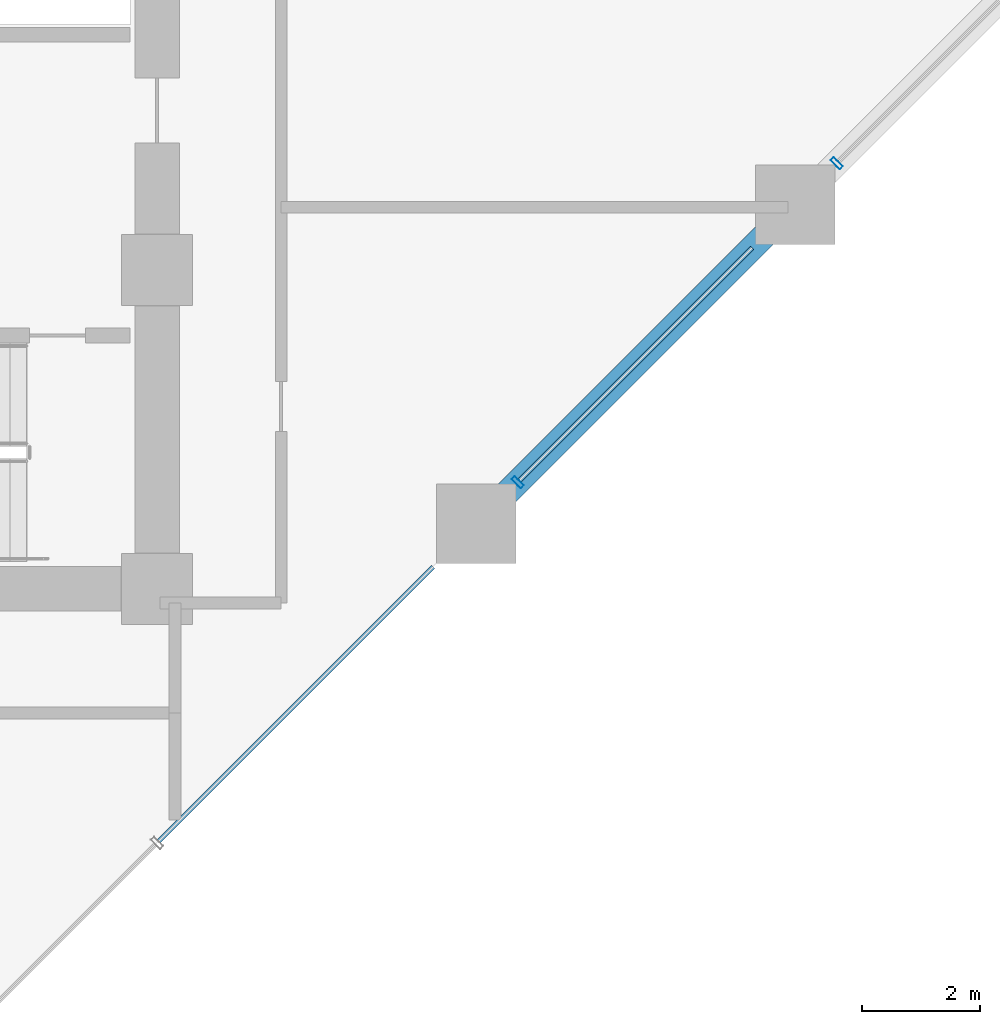
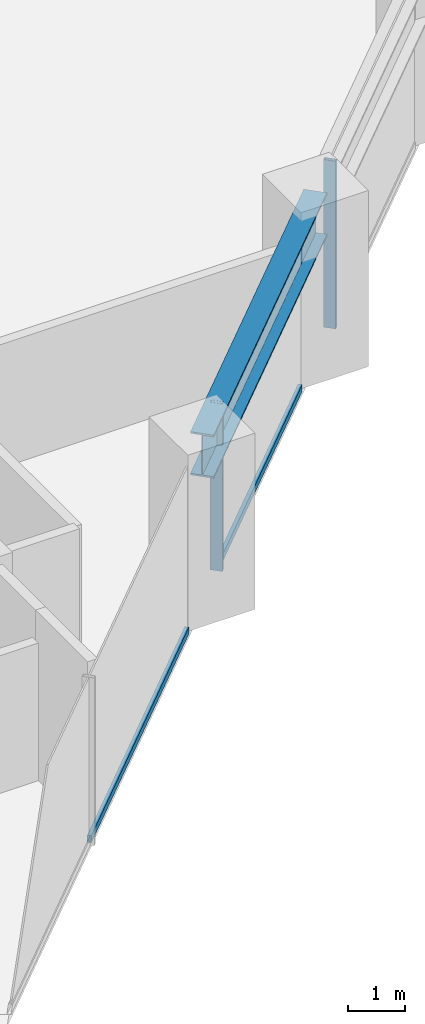
# One storey, part 8 of 24: 4 members, 1 beam, 1 element without a shape of its own.
"""IFC4 building model written with IfcOpenShell, lengths in metres."""

from ifc_helpers import new_model, si_unit, direction, frame, origin, origin_2d, place, context, subcontext, project, spatial, hollow_rectangle, i_section, extrude, material, layer, layer_set, material_profile, profile_set, type_object, element, aggregate, save


model = new_model("IFC4")

# Units and contexts
model_context = context("Model", 3, precision=1e-05, world=origin(), true_north=direction((0.0, 1.0)))
body_context = subcontext(model_context, "Body", "Model", "MODEL_VIEW")
ifc_project = project(units=[si_unit("LENGTHUNIT", "METRE"), si_unit("AREAUNIT", "SQUARE_METRE"), si_unit("VOLUMEUNIT", "CUBIC_METRE"), si_unit("PLANEANGLEUNIT", "RADIAN"), si_unit("MASSUNIT", "GRAM", prefix="KILO")], contexts=[model_context])

# Site, building, storey
site_placement = place(None, origin())
site = spatial("IfcSite", under=ifc_project, at=site_placement, CompositionType="ELEMENT")
building_placement = place(site_placement, origin())
building = spatial("IfcBuilding", under=site, at=building_placement, Name="Surkhivell Harbour Commons", CompositionType="ELEMENT")
storey_placement = place(building_placement, frame((0.0, 0.0, 30.0)))
storey = spatial("IfcBuildingStorey", under=building, at=storey_placement, Name="L07", CompositionType="ELEMENT", Elevation=30.0)

# Beam
ifc_material_1 = material(Name="Steel S460", Category="steel")
ifc_material_profile_1 = material_profile(ifc_material_1, i_section(OverallWidth=0.419921875, OverallDepth=0.9208984375, WebThickness=0.021484375, FlangeThickness=0.03662109375, at=origin_2d()), Name="UB914x419x388")
ifc_profile_set_1 = profile_set([ifc_material_profile_1], Name="Steel S460")
beam_type = type_object("IfcBeamType", Name="BM-SPN-914A", PredefinedType="SPANDREL", material=ifc_profile_set_1)
beam_placement = place(storey_placement, frame((16.199951171875, -9.699951171875, 3.109619140625), z_axis=(0.707122765516, 0.707090796496, 0.0), x_axis=(-0.707090796496, 0.707122765516, 0.0)))
element("IfcBeam", 1, at=beam_placement, inside=storey, type_object=beam_type, Name="L07 Tube Spandrel (16.2,-9.7)", PredefinedType="SPANDREL", context=body_context, shape_type="SweptSolid", body=[
    extrude(i_section(OverallWidth=0.419921875, OverallDepth=0.9208984375, WebThickness=0.021484375, FlangeThickness=0.03662109375, at=origin_2d()), origin(), (0.0, 0.0, 1.0), 7.63671875),
])

# Curtain wall, members
ifc_material_2 = material(Name="Anodised pale-metal aluminium and insulated glazing", Category="aluminium")
ifc_layer = layer(ifc_material_2, 0.219970703125)
ifc_layer_set = layer_set([ifc_layer], Name="Anodised pale-metal aluminium and insulated glazing")
curtain_wall_type = type_object("IfcCurtainWallType", Name="CW-SYS-Z1", PredefinedType="NOTDEFINED", material=ifc_layer_set)
curtain_wall_placement = place(storey_placement, origin())
curtain_wall = element("IfcCurtainWall", 2, at=curtain_wall_placement, inside=storey, type_object=curtain_wall_type, Name="L07 Curtain Wall CW-L07-E01", PredefinedType="NOTDEFINED")
ifc_material_3 = material(Name="Anodised pale-metal aluminium alloy 6063-T6", Category="aluminium")
ifc_material_profile_2 = material_profile(ifc_material_3, hollow_rectangle(XDim=0.074951171875, YDim=0.219970703125, WallThickness=0.00390625, at=origin_2d()), Name="ALU-MULL-75x220")
ifc_profile_set_2 = profile_set([ifc_material_profile_2], Name="Anodised pale-metal aluminium alloy 6063-T6")
member_type_1 = type_object("IfcMemberType", Name="CWM-220", PredefinedType="MULLION", material=ifc_profile_set_2)
member_1_placement = place(storey_placement, frame((16.9033203125, -8.99658203125, 0.0), z_axis=(0.0, 0.0, 1.0), x_axis=(0.707106781187, 0.707106781187, 0.0)))
member_1 = element("IfcMember", 3, at=member_1_placement, type_object=member_type_1, Name="CW-Z1 mullion 4", PredefinedType="MULLION", context=body_context, shape_type="SweptSolid", body=[
    extrude(hollow_rectangle(XDim=0.074951171875, YDim=0.219970703125, WallThickness=0.00390625, at=origin_2d()), origin(), (0.0, 0.0, 1.0), 3.570068359375),
])
member_2_placement = place(storey_placement, frame((22.30322265625, -3.5966796875, 0.0), z_axis=(0.0, 0.0, 1.0), x_axis=(0.707106781187, 0.707106781187, 0.0)))
member_2 = element("IfcMember", 4, at=member_2_placement, type_object=member_type_1, Name="CW-Z1 mullion 5", PredefinedType="MULLION", context=body_context, shape_type="SweptSolid", body=[
    extrude(hollow_rectangle(XDim=0.074951171875, YDim=0.219970703125, WallThickness=0.00390625, at=origin_2d()), origin(), (0.0, 0.0, 1.0), 3.570068359375),
])
ifc_material_profile_3 = material_profile(ifc_material_3, hollow_rectangle(XDim=0.074951171875, YDim=0.14990234375, WallThickness=0.00341796875, at=origin_2d()), Name="ALU-TRAN-75x150")
ifc_profile_set_3 = profile_set([ifc_material_profile_3], Name="Anodised pale-metal aluminium alloy 6063-T6")
member_type_2 = type_object("IfcMemberType", Name="CWT-150", PredefinedType="USERDEFINED", material=ifc_profile_set_3)
member_3_placement = place(storey_placement, frame((10.826416015625, -15.073486328125, 0.074951171875), z_axis=(0.70712536896, 0.707088192925, 0.0), x_axis=(-0.707088192925, 0.70712536896, 0.0)))
member_3 = element("IfcMember", 5, at=member_3_placement, type_object=member_type_2, Name="CW-Z1 transom 3.1", ObjectType="TRANSOM", PredefinedType="USERDEFINED", context=body_context, shape_type="SweptSolid", body=[
    extrude(hollow_rectangle(XDim=0.074951171875, YDim=0.14990234375, WallThickness=0.00341796875, at=origin_2d()), origin(), (0.0, 0.0, 1.0), 6.567138671875),
])
member_4_placement = place(storey_placement, frame((16.929931640625, -8.97021484375, 0.074951171875), z_axis=(0.707084874754, 0.70712868694, 0.0), x_axis=(-0.70712868694, 0.707084874754, 0.0)))
member_4 = element("IfcMember", 6, at=member_4_placement, type_object=member_type_2, Name="CW-Z1 transom 4.1", ObjectType="TRANSOM", PredefinedType="USERDEFINED", context=body_context, shape_type="SweptSolid", body=[
    extrude(hollow_rectangle(XDim=0.074951171875, YDim=0.14990234375, WallThickness=0.00341796875, at=origin_2d()), origin(), (0.0, 0.0, 1.0), 5.572509765625),
])
aggregate(curtain_wall, [member_3, member_1, member_4, member_2])

save(model, "model.ifc")
